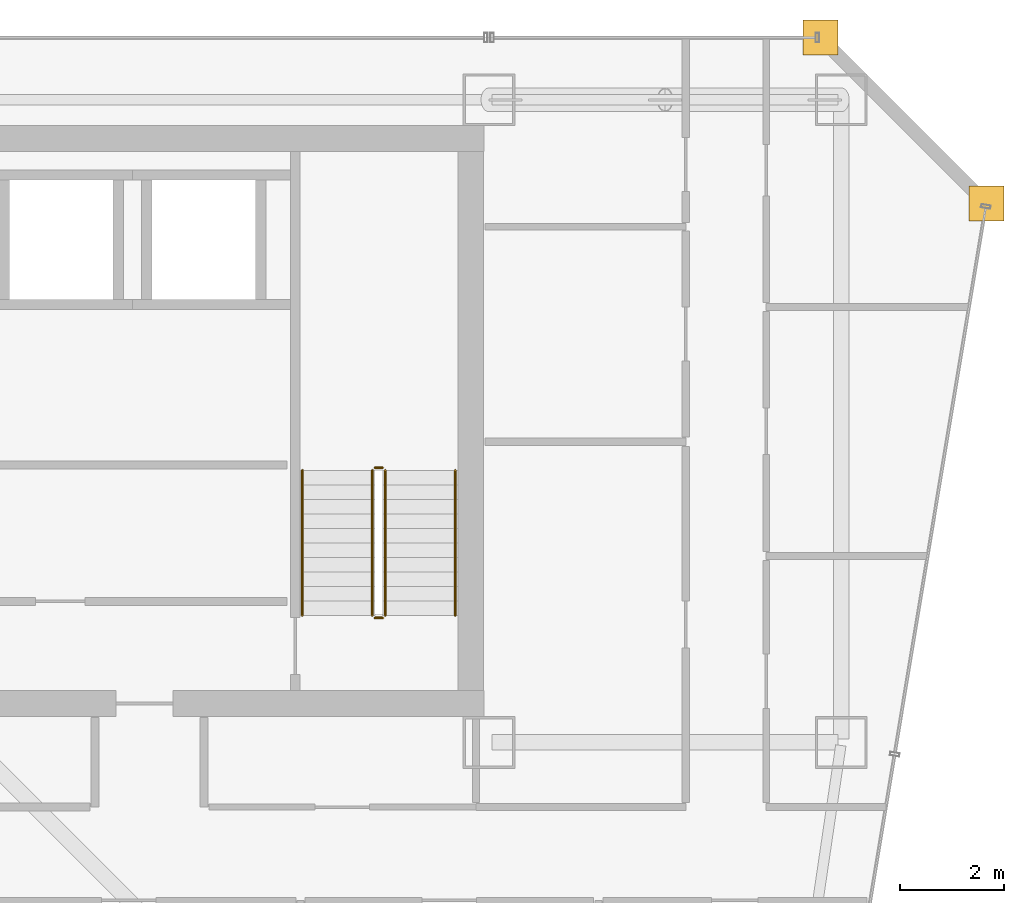
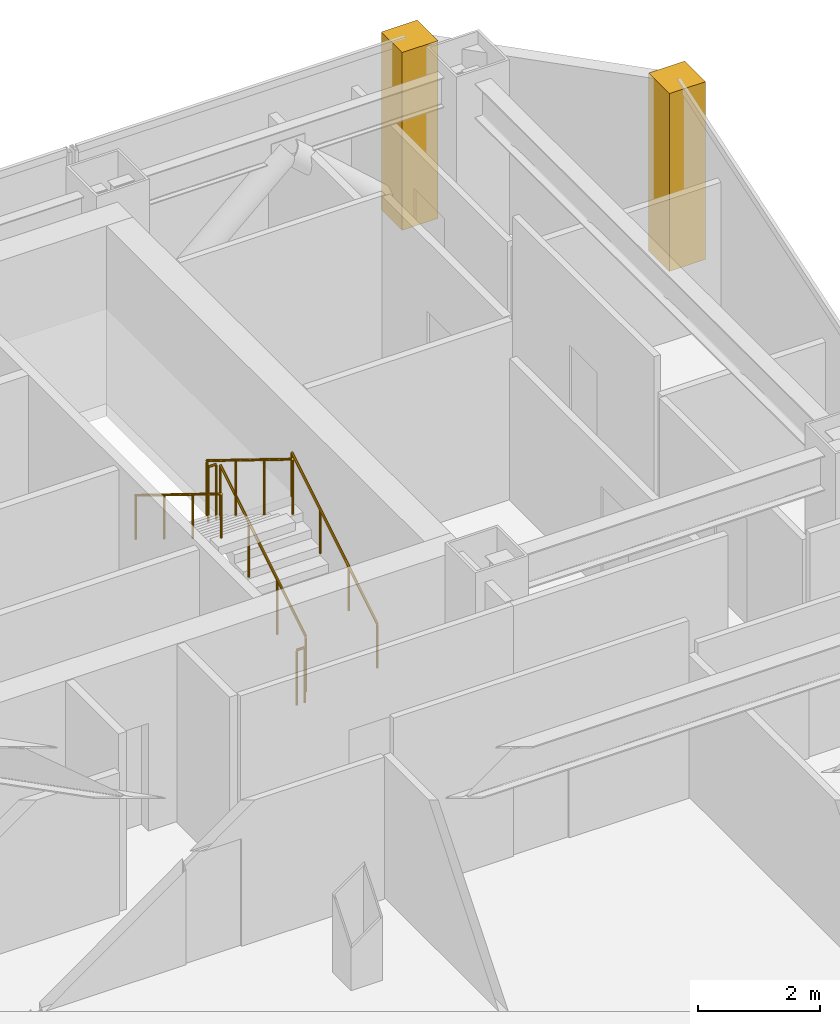
# One storey, part 36 of 36: 6 railings, 2 coverings.
"""IFC4 building model written with IfcOpenShell, lengths in metres."""

from ifc_helpers import new_model, si_unit, direction, frame, origin, origin_2d, place, context, subcontext, project, spatial, polyline, circle, outline, extrude, material, layer, layer_set, type_object, element, save


model = new_model("IFC4")

# Units and contexts
model_context = context("Model", 3, precision=1e-05, world=origin(), true_north=direction((0.0, 1.0)))
body_context = subcontext(model_context, "Body", "Model", "MODEL_VIEW")
ifc_project = project(units=[si_unit("LENGTHUNIT", "METRE"), si_unit("AREAUNIT", "SQUARE_METRE"), si_unit("VOLUMEUNIT", "CUBIC_METRE"), si_unit("PLANEANGLEUNIT", "RADIAN"), si_unit("MASSUNIT", "GRAM", prefix="KILO")], contexts=[model_context])

# Site, building, storey
site_placement = place(None, origin())
site = spatial("IfcSite", under=ifc_project, at=site_placement, CompositionType="ELEMENT")
building_placement = place(site_placement, origin())
building = spatial("IfcBuilding", under=site, at=building_placement, Name="Saevonmaru Cultural Tower", CompositionType="ELEMENT")
storey_placement = place(building_placement, frame((0.0, 0.0, 152.39990234375)))
storey = spatial("IfcBuildingStorey", under=building, at=storey_placement, Name="L33", CompositionType="ELEMENT", Elevation=152.39990234375)

# Coverings
ifc_material_1 = material(Name="Satin Bronze Anodised Aluminium", Category="aluminium")
ifc_layer = layer(ifc_material_1, 0.679931640625, Name="Satin Bronze Anodised Aluminium")
ifc_layer_set = layer_set([ifc_layer], Name="Satin Bronze Anodised Aluminium")
covering_type = type_object("IfcCoveringType", Name="CV-CORNER-CLAD", PredefinedType="CLADDING", material=ifc_layer_set)
covering_1_placement = place(storey_placement, origin())
element("IfcCovering", 1, at=covering_1_placement, inside=storey, type_object=covering_type, Name="L33 Tower Bronze Corner Cladding Pier 9", PredefinedType="CLADDING", context=body_context, shape_type="SweptSolid", body=[
    extrude(outline(polyline([(55.659912109375, 52.4599609375), (56.340087890625, 52.4599609375), (56.340087890625, 53.139892578125), (55.659912109375, 53.139892578125), (55.659912109375, 52.4599609375)])), origin(), (0.0, 0.0, 1.0), 3.550048828125),
])
covering_2_placement = place(storey_placement, origin())
element("IfcCovering", 2, at=covering_2_placement, inside=storey, type_object=covering_type, Name="L33 Tower Bronze Corner Cladding Pier 10", PredefinedType="CLADDING", context=body_context, shape_type="SweptSolid", body=[
    extrude(outline(polyline([(52.4599609375, 55.659912109375), (53.139892578125, 55.659912109375), (53.139892578125, 56.340087890625), (52.4599609375, 56.340087890625), (52.4599609375, 55.659912109375)])), origin(), (0.0, 0.0, 1.0), 3.550048828125),
])

# Railings
ifc_material_2 = material(Name="Architectural Painted Steel", Category="steel")
railing_type_1 = type_object("IfcRailingType", Name="RL-STAIR-GUARD", PredefinedType="GUARDRAIL", material=ifc_material_2)
railing_1_placement = place(storey_placement, frame((44.39990234375, 44.85009765625, 0.1728515625)))
element("IfcRailing", 3, at=railing_1_placement, inside=storey, type_object=railing_type_1, Name="L33 ST-2 stair guard 1", PredefinedType="GUARDRAIL", context=body_context, shape_type="SweptSolid", body=[
    extrude(circle(Radius=0.02392578125, at=origin_2d()), frame((0.0, 0.0, 1.09619140625), z_axis=(0.0, 0.851069175582, 0.525053576669), x_axis=(-1.0, 0.0, 0.0)), (0.0, 0.0, 1.0), 3.289794921875),
    extrude(circle(Radius=0.02099609375, at=origin_2d()), origin(), (0.0, 0.0, 1.0), 1.072021484375),
    extrude(circle(Radius=0.02099609375, at=origin_2d()), frame((0.0, 0.933349609375, 0.57568359375)), (0.0, 0.0, 1.0), 1.072021484375),
    extrude(circle(Radius=0.02099609375, at=origin_2d()), frame((0.0, 1.866455078125, 1.151611328125)), (0.0, 0.0, 1.0), 1.072021484375),
    extrude(circle(Radius=0.02099609375, at=origin_2d()), frame((0.0, 2.7998046875, 1.727294921875)), (0.0, 0.0, 1.0), 1.072021484375),
])
railing_2_placement = place(storey_placement, frame((44.35009765625, 47.699951171875, 1.900146484375)))
element("IfcRailing", 4, at=railing_2_placement, inside=storey, type_object=railing_type_1, Name="L33 ST-2 stair guard 2", PredefinedType="GUARDRAIL", context=body_context, shape_type="SweptSolid", body=[
    extrude(circle(Radius=0.02392578125, at=origin_2d()), frame((0.0, 0.0, 1.09619140625), z_axis=(-1.0, 0.0, 0.0), x_axis=(0.0, -1.0, 0.0)), (0.0, 0.0, 1.0), 0.150146484375),
    extrude(circle(Radius=0.02099609375, at=origin_2d()), origin(), (0.0, 0.0, 1.0), 1.072021484375),
    extrude(circle(Radius=0.02099609375, at=origin_2d()), frame((-0.150146484375, 0.0, 0.0)), (0.0, 0.0, 1.0), 1.072021484375),
])
railing_3_placement = place(storey_placement, frame((44.14990234375, 47.64990234375, 2.07275390625)))
element("IfcRailing", 5, at=railing_3_placement, inside=storey, type_object=railing_type_1, Name="L33 ST-2 stair guard 3", PredefinedType="GUARDRAIL", context=body_context, shape_type="SweptSolid", body=[
    extrude(circle(Radius=0.02392578125, at=origin_2d()), frame((0.0, 0.0, 1.09619140625), z_axis=(0.0, -0.851069175582, 0.525053576669), x_axis=(1.0, 0.0, 0.0)), (0.0, 0.0, 1.0), 3.289794921875),
    extrude(circle(Radius=0.02099609375, at=origin_2d()), origin(), (0.0, 0.0, 1.0), 1.072021484375),
    extrude(circle(Radius=0.02099609375, at=origin_2d()), frame((0.0, -0.933349609375, 0.57568359375)), (0.0, 0.0, 1.0), 1.072021484375),
    extrude(circle(Radius=0.02099609375, at=origin_2d()), frame((0.0, -1.866455078125, 1.151611328125)), (0.0, 0.0, 1.0), 1.072021484375),
    extrude(circle(Radius=0.02099609375, at=origin_2d()), frame((0.0, -2.7998046875, 1.727294921875)), (0.0, 0.0, 1.0), 1.072021484375),
])
railing_4_placement = place(storey_placement, frame((44.35009765625, 44.800048828125, 0.0)))
element("IfcRailing", 6, at=railing_4_placement, inside=storey, type_object=railing_type_1, Name="L33 ST-2 stair guard 4", PredefinedType="GUARDRAIL", context=body_context, shape_type="SweptSolid", body=[
    extrude(circle(Radius=0.02392578125, at=origin_2d()), frame((0.0, 0.0, 1.09619140625), z_axis=(-1.0, 0.0, 0.0), x_axis=(0.0, -1.0, 0.0)), (0.0, 0.0, 1.0), 0.150146484375),
    extrude(circle(Radius=0.02099609375, at=origin_2d()), origin(), (0.0, 0.0, 1.0), 1.072021484375),
    extrude(circle(Radius=0.02099609375, at=origin_2d()), frame((-0.150146484375, 0.0, 0.0)), (0.0, 0.0, 1.0), 1.072021484375),
])
railing_type_2 = type_object("IfcRailingType", Name="RL-STAIR-HANDRAIL", PredefinedType="HANDRAIL", material=ifc_material_1)
railing_5_placement = place(storey_placement, frame((45.75, 44.85009765625, 0.1728515625)))
element("IfcRailing", 7, at=railing_5_placement, inside=storey, type_object=railing_type_2, Name="L33 ST-2 stair handrail 1", PredefinedType="HANDRAIL", context=body_context, shape_type="SweptSolid", body=[
    extrude(circle(Radius=0.02392578125, at=origin_2d()), frame((0.0, 0.0, 0.8759765625), z_axis=(0.0, 0.851069175582, 0.525053576669), x_axis=(-1.0, 0.0, 0.0)), (0.0, 0.0, 1.0), 3.289794921875),
    extrude(circle(Radius=0.02099609375, at=origin_2d()), origin(), (0.0, 0.0, 1.0), 0.851806640625),
    extrude(circle(Radius=0.02099609375, at=origin_2d()), frame((0.0, 0.933349609375, 0.57568359375)), (0.0, 0.0, 1.0), 0.851806640625),
    extrude(circle(Radius=0.02099609375, at=origin_2d()), frame((0.0, 1.866455078125, 1.151611328125)), (0.0, 0.0, 1.0), 0.851806640625),
    extrude(circle(Radius=0.02099609375, at=origin_2d()), frame((0.0, 2.7998046875, 1.727294921875)), (0.0, 0.0, 1.0), 0.851806640625),
])
railing_6_placement = place(storey_placement, frame((42.800048828125, 47.64990234375, 2.07275390625)))
element("IfcRailing", 8, at=railing_6_placement, inside=storey, type_object=railing_type_2, Name="L33 ST-2 stair handrail 2", PredefinedType="HANDRAIL", context=body_context, shape_type="SweptSolid", body=[
    extrude(circle(Radius=0.02392578125, at=origin_2d()), frame((0.0, 0.0, 0.8759765625), z_axis=(0.0, -0.851069175582, 0.525053576669), x_axis=(1.0, 0.0, 0.0)), (0.0, 0.0, 1.0), 3.289794921875),
    extrude(circle(Radius=0.02099609375, at=origin_2d()), origin(), (0.0, 0.0, 1.0), 0.851806640625),
    extrude(circle(Radius=0.02099609375, at=origin_2d()), frame((0.0, -0.933349609375, 0.57568359375)), (0.0, 0.0, 1.0), 0.851806640625),
    extrude(circle(Radius=0.02099609375, at=origin_2d()), frame((0.0, -1.866455078125, 1.151611328125)), (0.0, 0.0, 1.0), 0.851806640625),
    extrude(circle(Radius=0.02099609375, at=origin_2d()), frame((0.0, -2.7998046875, 1.727294921875)), (0.0, 0.0, 1.0), 0.851806640625),
])

save(model, "model.ifc")
